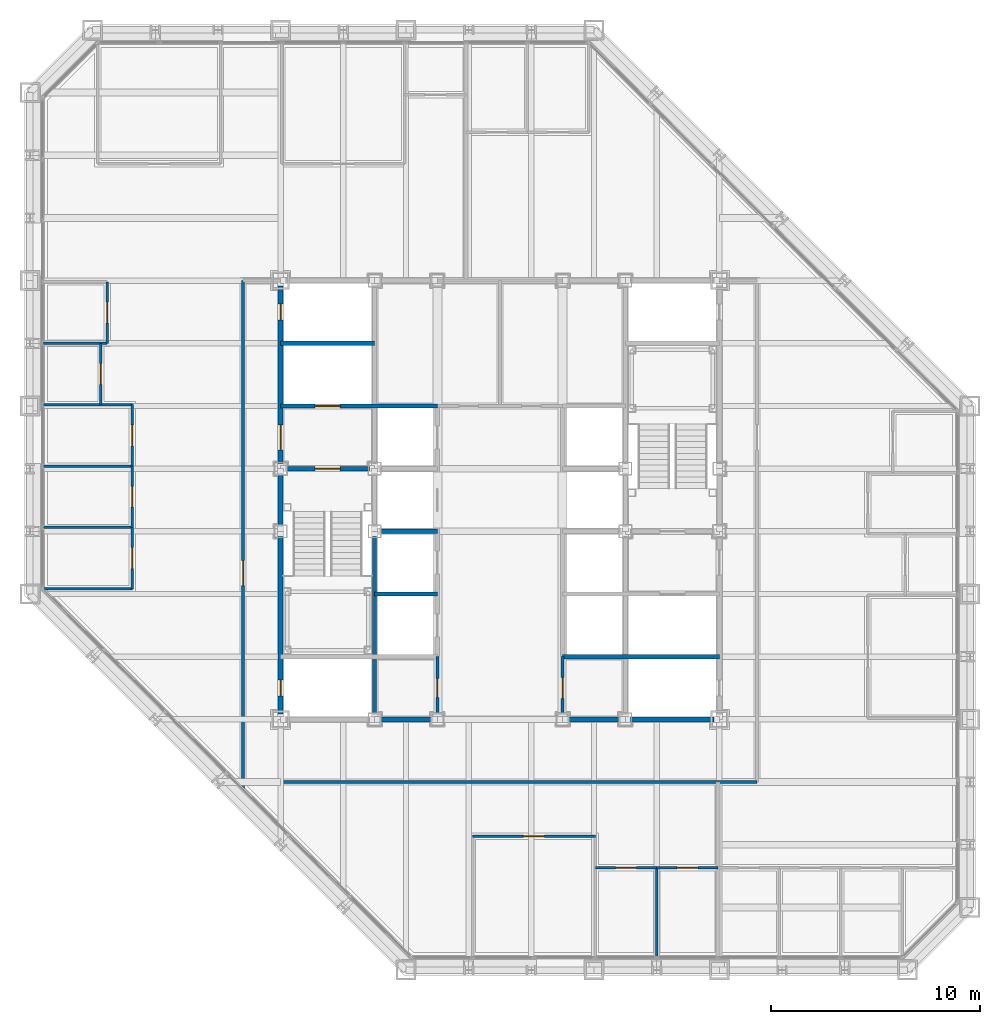
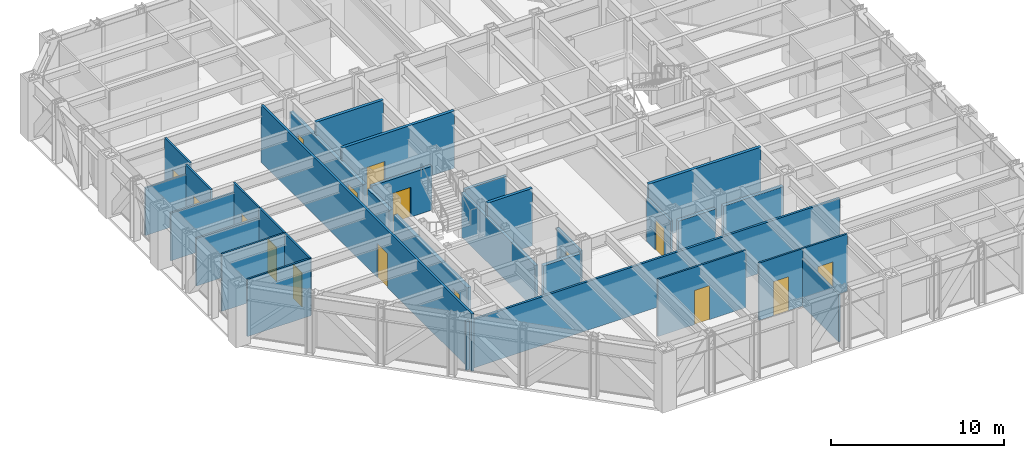
# One storey, part 10 of 16: 31 walls, 16 doors, 16 openings.
"""IFC4 building model written with IfcOpenShell, lengths in metres."""

from ifc_helpers import new_model, si_unit, direction, frame, frame_2d, origin, place, context, subcontext, project, spatial, rectangle, extrude, material, layer, layer_set, type_object, element, fill, save


model = new_model("IFC4")

# Units and contexts
model_context = context("Model", 3, precision=1e-05, world=origin(), true_north=direction((0.0, 1.0)))
body_context = subcontext(model_context, "Body", "Model", "MODEL_VIEW")
ifc_project = project(units=[si_unit("LENGTHUNIT", "METRE"), si_unit("AREAUNIT", "SQUARE_METRE"), si_unit("VOLUMEUNIT", "CUBIC_METRE"), si_unit("PLANEANGLEUNIT", "RADIAN"), si_unit("MASSUNIT", "GRAM", prefix="KILO")], contexts=[model_context])

# Site, building, storey
site_placement = place(None, origin())
site = spatial("IfcSite", under=ifc_project, at=site_placement, CompositionType="ELEMENT")
building_placement = place(site_placement, origin())
building = spatial("IfcBuilding", under=site, at=building_placement, Name="Chuquiago Exchange Tower", CompositionType="ELEMENT")
storey_placement = place(building_placement, frame((0.0, 0.0, 157.199951171875)))
storey = spatial("IfcBuildingStorey", under=building, at=storey_placement, Name="L34", CompositionType="ELEMENT", Elevation=157.199951171875)

# Wall, opening, door
ifc_material_1 = material(Name="Concrete masonry, fully grouted", Category="masonry")
ifc_layer_1 = layer(ifc_material_1, 0.25)
ifc_layer_set_1 = layer_set([ifc_layer_1], Name="W1 core wall 250")
wall_type_1 = type_object("IfcWallType", Name="W1 core wall 250", PredefinedType="SOLIDWALL", material=ifc_layer_set_1)
wall_1_placement = place(storey_placement, frame((12.0, 12.25, 0.0), z_axis=(0.0, 0.0, 1.0), x_axis=(0.0, 1.0, 0.0)))
wall_1 = element("IfcWall", 1, at=wall_1_placement, inside=storey, type_object=wall_type_1, Name="CW-L34-00-0", PredefinedType="SOLIDWALL", context=body_context, shape_type="SweptSolid", body=[
    extrude(rectangle(XDim=8.5, YDim=0.25, at=frame_2d((4.25, 0.0))), origin(), (0.0, 0.0, 1.0), 3.113037109375),
])
opening_1_placement = place(wall_1_placement, frame((0.875, 0.0, 0.0)))
opening_1 = element("IfcOpeningElement", 2, at=opening_1_placement, cuts=wall_1, Name="Opening L34-007", PredefinedType="OPENING", context=body_context, shape_type="SweptSolid", body=[
    extrude(rectangle(XDim=0.75, YDim=2.10009765625, at=frame_2d((0.375, 1.050048828125))), frame((0.0, 0.135009765625, 0.0), z_axis=(0.0, -1.0, 0.0), x_axis=(1.0, 0.0, 0.0)), (0.0, 0.0, 1.0), 0.27001953125),
])
ifc_material_2 = material(Name="Steel door, painted", Category="steel")
door_type_1 = type_object("IfcDoorType", Name="D6 riser access door 750x2100", OperationType="SINGLE_SWING_LEFT", PredefinedType="DOOR", material=ifc_material_2)
door_1_placement = place(opening_1_placement, frame((0.75, 0.0, 0.0), z_axis=(0.0, 0.0, 1.0), x_axis=(-1.0, 0.0, 0.0)))
door_1 = element("IfcDoor", 3, at=door_1_placement, inside=storey, type_object=door_type_1, Name="Riser RW1 door", OperationType="SINGLE_SWING_RIGHT", OverallHeight=2.10009765625, OverallWidth=0.75, PredefinedType="DOOR", context=body_context, shape_type="SweptSolid", body=[
    extrude(rectangle(XDim=0.75, YDim=2.10009765625, at=frame_2d((0.375, 1.050048828125))), frame((0.0, 0.02490234375, 0.0), z_axis=(0.0, -1.0, 0.0), x_axis=(1.0, 0.0, 0.0)), (0.0, 0.0, 1.0), 0.050048828125),
])
fill(opening_1, door_1)

# Wall
wall_2_placement = place(storey_placement, frame((12.0, 21.25, 0.0), z_axis=(0.0, 0.0, 1.0), x_axis=(0.0, 1.0, 0.0)))
element("IfcWall", 4, at=wall_2_placement, inside=storey, type_object=wall_type_1, Name="CW-L34-00-1", PredefinedType="SOLIDWALL", context=body_context, shape_type="SweptSolid", body=[
    extrude(rectangle(XDim=2.5, YDim=0.25, at=frame_2d((1.25, 0.0))), origin(), (0.0, 0.0, 1.0), 3.113037109375),
])

# Wall, openings, doors
wall_3_placement = place(storey_placement, frame((12.0, 24.25, 0.0), z_axis=(0.0, 0.0, 1.0), x_axis=(0.0, 1.0, 0.0)))
wall_3 = element("IfcWall", 5, at=wall_3_placement, inside=storey, type_object=wall_type_1, Name="CW-L34-00-2", PredefinedType="SOLIDWALL", context=body_context, shape_type="SweptSolid", body=[
    extrude(rectangle(XDim=8.5, YDim=0.25, at=frame_2d((4.25, 0.0))), origin(), (0.0, 0.0, 1.0), 3.113037109375),
])
opening_2_placement = place(wall_3_placement, frame((0.64990234375, 0.0, 0.0)))
opening_2 = element("IfcOpeningElement", 6, at=opening_2_placement, cuts=wall_3, Name="Opening L34-002", PredefinedType="OPENING", context=body_context, shape_type="SweptSolid", body=[
    extrude(rectangle(XDim=1.199951171875, YDim=2.10009765625, at=frame_2d((0.60009765625, 1.050048828125))), frame((0.0, 0.135009765625, 0.0), z_axis=(0.0, -1.0, 0.0), x_axis=(1.0, 0.0, 0.0)), (0.0, 0.0, 1.0), 0.27001953125),
])
opening_3_placement = place(wall_3_placement, frame((6.875, 0.0, 0.0)))
opening_3 = element("IfcOpeningElement", 7, at=opening_3_placement, cuts=wall_3, Name="Opening L34-008", PredefinedType="OPENING", context=body_context, shape_type="SweptSolid", body=[
    extrude(rectangle(XDim=0.75, YDim=2.10009765625, at=frame_2d((0.375, 1.050048828125))), frame((0.0, 0.135009765625, 0.0), z_axis=(0.0, -1.0, 0.0), x_axis=(1.0, 0.0, 0.0)), (0.0, 0.0, 1.0), 0.27001953125),
])
ifc_material_3 = material(Name="Steel door, painted", Category="steel")
door_type_2 = type_object("IfcDoorType", Name="D5 firefighting lobby door 1200x2100", OperationType="SINGLE_SWING_LEFT", PredefinedType="DOOR", material=ifc_material_3)
door_2_placement = place(opening_2_placement, frame((1.199951171875, 0.0, 0.0), z_axis=(0.0, 0.0, 1.0), x_axis=(-1.0, 0.0, 0.0)))
door_2 = element("IfcDoor", 8, at=door_2_placement, inside=storey, type_object=door_type_2, Name="Firefighting lobby 1 door", OperationType="SINGLE_SWING_RIGHT", OverallHeight=2.10009765625, OverallWidth=1.199951171875, PredefinedType="DOOR", context=body_context, shape_type="SweptSolid", body=[
    extrude(rectangle(XDim=1.199951171875, YDim=2.10009765625, at=frame_2d((0.60009765625, 1.050048828125))), frame((0.0, 0.02490234375, 0.0), z_axis=(0.0, -1.0, 0.0), x_axis=(1.0, 0.0, 0.0)), (0.0, 0.0, 1.0), 0.050048828125),
])
fill(opening_2, door_2)
door_3_placement = place(opening_3_placement, frame((0.75, 0.0, 0.0), z_axis=(0.0, 0.0, 1.0), x_axis=(-1.0, 0.0, 0.0)))
door_3 = element("IfcDoor", 9, at=door_3_placement, inside=storey, type_object=door_type_1, Name="Riser RW2 door", OperationType="SINGLE_SWING_LEFT", OverallHeight=2.10009765625, OverallWidth=0.75, PredefinedType="DOOR", context=body_context, shape_type="SweptSolid", body=[
    extrude(rectangle(XDim=0.75, YDim=2.10009765625, at=frame_2d((0.375, 1.050048828125))), frame((0.0, 0.02490234375, 0.0), z_axis=(0.0, -1.0, 0.0), x_axis=(1.0, 0.0, 0.0)), (0.0, 0.0, 1.0), 0.050048828125),
])
fill(opening_3, door_3)

# Walls
for number, where, z_axis, x_axis, name in (
    (10, (16.75, 12.0, 0.0), (0.0, 0.0, 1.0), (1.0, 0.0, 0.0), "CW-L34-01-1"),
    (11, (25.75, 12.0, 0.0), (0.0, 0.0, 1.0), (1.0, 0.0, 0.0), "CW-L34-02-0"),
):
    element("IfcWall", number, at=place(storey_placement, frame(where, z_axis=z_axis, x_axis=x_axis)), inside=storey, type_object=wall_type_1, Name=name, PredefinedType="SOLIDWALL", context=body_context, shape_type="SweptSolid", body=[
        extrude(rectangle(XDim=2.5, YDim=0.25, at=frame_2d((1.25, 0.0))), origin(), (0.0, 0.0, 1.0), 3.181640625),
    ])
wall_4_placement = place(storey_placement, frame((28.75, 12.0, 0.0), z_axis=(0.0, 0.0, 1.0), x_axis=(1.0, 0.0, 0.0)))
element("IfcWall", 12, at=wall_4_placement, inside=storey, type_object=wall_type_1, Name="CW-L34-02-1", PredefinedType="SOLIDWALL", context=body_context, shape_type="SweptSolid", body=[
    extrude(rectangle(XDim=4.0, YDim=0.25, at=frame_2d((2.0, 0.0))), origin(), (0.0, 0.0, 1.0), 3.181640625),
])
ifc_material_4 = material(Name="Gypsum board on steel studs, acoustic insulation", Category="steel")
ifc_layer_2 = layer(ifc_material_4, 0.14990234375)
ifc_layer_set_2 = layer_set([ifc_layer_2], Name="W11 corridor wall 150")
wall_type_2 = type_object("IfcWallType", Name="W11 corridor wall 150", PredefinedType="PARTITIONING", material=ifc_layer_set_2)
wall_5_placement = place(storey_placement, frame((9.885498046875, 9.0, 0.0), z_axis=(0.0, 0.0, 1.0), x_axis=(1.0, 0.0, 0.0)))
element("IfcWall", 13, at=wall_5_placement, inside=storey, type_object=wall_type_2, Name="PW-L34-CS", PredefinedType="PARTITIONING", context=body_context, shape_type="SweptSolid", body=[
    extrude(rectangle(XDim=24.91455078125, YDim=0.14990234375, at=frame_2d((12.457275390625, 0.0))), origin(), (0.0, 0.0, 1.0), 3.427734375),
])

# Wall, opening, door
wall_6_placement = place(storey_placement, frame((10.199951171875, 8.685546875, 0.0), z_axis=(0.0, 0.0, 1.0), x_axis=(0.0, 1.0, 0.0)))
wall_6 = element("IfcWall", 14, at=wall_6_placement, inside=storey, type_object=wall_type_2, Name="PW-L34-CW", PredefinedType="PARTITIONING", context=body_context, shape_type="SweptSolid", body=[
    extrude(rectangle(XDim=24.314453125, YDim=0.14990234375, at=frame_2d((12.1572265625, 0.0))), origin(), (0.0, 0.0, 1.0), 4.0400390625),
])
opening_4_placement = place(wall_6_placement, frame((9.714599609375, 0.0, 0.0)))
opening_4 = element("IfcOpeningElement", 15, at=opening_4_placement, cuts=wall_6, Name="Opening L34-040", PredefinedType="OPENING", context=body_context, shape_type="SweptSolid", body=[
    extrude(rectangle(XDim=1.199951171875, YDim=2.39990234375, at=frame_2d((0.60009765625, 1.199951171875))), frame((0.0, 0.0849609375, 0.0), z_axis=(0.0, -1.0, 0.0), x_axis=(1.0, 0.0, 0.0)), (0.0, 0.0, 1.0), 0.169921875),
])
ifc_material_5 = material(Name="Timber door, laminate faced", Category="wood")
door_type_3 = type_object("IfcDoorType", Name="D13 suite entrance door 1200x2400", OperationType="SINGLE_SWING_LEFT", PredefinedType="DOOR", material=ifc_material_5)
door_4_placement = place(opening_4_placement, origin())
door_4 = element("IfcDoor", 16, at=door_4_placement, inside=storey, type_object=door_type_3, Name="West suite entrance door", OperationType="SINGLE_SWING_LEFT", OverallHeight=2.39990234375, OverallWidth=1.199951171875, PredefinedType="DOOR", context=body_context, shape_type="SweptSolid", body=[
    extrude(rectangle(XDim=1.199951171875, YDim=2.39990234375, at=frame_2d((0.60009765625, 1.199951171875))), frame((0.0, 0.02490234375, 0.0), z_axis=(0.0, -1.0, 0.0), x_axis=(1.0, 0.0, 0.0)), (0.0, 0.0, 1.0), 0.050048828125),
])
fill(opening_4, door_4)

# Wall
ifc_material_6 = material(Name="Concrete masonry, fully grouted", Category="masonry")
ifc_layer_3 = layer(ifc_material_6, 0.199951171875)
ifc_layer_set_3 = layer_set([ifc_layer_3], Name="W2 shaft wall 200")
wall_type_3 = type_object("IfcWallType", Name="W2 shaft wall 200", PredefinedType="SOLIDWALL", material=ifc_layer_set_3)
wall_7_placement = place(storey_placement, frame((25.5, 15.0, 0.0), z_axis=(0.0, 0.0, 1.0), x_axis=(1.0, 0.0, 0.0)))
element("IfcWall", 17, at=wall_7_placement, inside=storey, type_object=wall_type_3, Name="CW-L34-04-0", PredefinedType="SOLIDWALL", context=body_context, shape_type="SweptSolid", body=[
    extrude(rectangle(XDim=7.5, YDim=0.199951171875, at=frame_2d((3.75, 0.0))), origin(), (0.0, 0.0, 1.0), 4.0400390625),
])

# Wall, opening, door
wall_8_placement = place(storey_placement, frame((12.25, 24.0, 0.0), z_axis=(0.0, 0.0, 1.0), x_axis=(1.0, 0.0, 0.0)))
wall_8 = element("IfcWall", 18, at=wall_8_placement, inside=storey, type_object=wall_type_3, Name="CW-L34-05-0", PredefinedType="SOLIDWALL", context=body_context, shape_type="SweptSolid", body=[
    extrude(rectangle(XDim=4.0, YDim=0.199951171875, at=frame_2d((2.0, 0.0))), origin(), (0.0, 0.0, 1.0), 3.090087890625),
])
opening_5_placement = place(wall_8_placement, frame((1.39990234375, 0.0, 0.0)))
opening_5 = element("IfcOpeningElement", 19, at=opening_5_placement, cuts=wall_8, Name="Opening L34-001", PredefinedType="OPENING", context=body_context, shape_type="SweptSolid", body=[
    extrude(rectangle(XDim=1.199951171875, YDim=2.10009765625, at=frame_2d((0.60009765625, 1.050048828125))), frame((0.0, 0.10986328125, 0.0), z_axis=(0.0, -1.0, 0.0), x_axis=(1.0, 0.0, 0.0)), (0.0, 0.0, 1.0), 0.219970703125),
])
ifc_material_7 = material(Name="Steel door, painted", Category="steel")
door_type_4 = type_object("IfcDoorType", Name="D4 stair door 1200x2100", OperationType="SINGLE_SWING_LEFT", PredefinedType="DOOR", material=ifc_material_7)
door_5_placement = place(opening_5_placement, frame((1.199951171875, 0.0, 0.0), z_axis=(0.0, 0.0, 1.0), x_axis=(-1.0, 0.0, 0.0)))
door_5 = element("IfcDoor", 20, at=door_5_placement, inside=storey, type_object=door_type_4, Name="Stair ST1 door", OperationType="SINGLE_SWING_RIGHT", OverallHeight=2.10009765625, OverallWidth=1.199951171875, PredefinedType="DOOR", context=body_context, shape_type="SweptSolid", body=[
    extrude(rectangle(XDim=1.199951171875, YDim=2.10009765625, at=frame_2d((0.60009765625, 1.050048828125))), frame((0.0, 0.02490234375, 0.0), z_axis=(0.0, -1.0, 0.0), x_axis=(1.0, 0.0, 0.0)), (0.0, 0.0, 1.0), 0.050048828125),
])
fill(opening_5, door_5)

wall_9_placement = place(storey_placement, frame((12.0, 27.0, 0.0), z_axis=(0.0, 0.0, 1.0), x_axis=(1.0, 0.0, 0.0)))
wall_9 = element("IfcWall", 21, at=wall_9_placement, inside=storey, type_object=wall_type_3, Name="CW-L34-07-0", PredefinedType="SOLIDWALL", context=body_context, shape_type="SweptSolid", body=[
    extrude(rectangle(XDim=7.5, YDim=0.199951171875, at=frame_2d((3.75, 0.0))), origin(), (0.0, 0.0, 1.0), 4.0400390625),
])
opening_6_placement = place(wall_9_placement, frame((1.64990234375, 0.0, 0.0)))
opening_6 = element("IfcOpeningElement", 22, at=opening_6_placement, cuts=wall_9, Name="Opening L34-005", PredefinedType="OPENING", context=body_context, shape_type="SweptSolid", body=[
    extrude(rectangle(XDim=1.199951171875, YDim=2.10009765625, at=frame_2d((0.60009765625, 1.050048828125))), frame((0.0, 0.10986328125, 0.0), z_axis=(0.0, -1.0, 0.0), x_axis=(1.0, 0.0, 0.0)), (0.0, 0.0, 1.0), 0.219970703125),
])
ifc_material_8 = material(Name="Stainless steel lift landing door", Category="steel")
door_type_5 = type_object("IfcDoorType", Name="LD2 firefighting lift landing door 1200x2100", OperationType="DOUBLE_DOOR_SLIDING", PredefinedType="DOOR", material=ifc_material_8)
door_6_placement = place(opening_6_placement, origin())
door_6 = element("IfcDoor", 23, at=door_6_placement, inside=storey, type_object=door_type_5, Name="Firefighting lift FL1 landing door", OperationType="DOUBLE_DOOR_SLIDING", OverallHeight=2.10009765625, OverallWidth=1.199951171875, PredefinedType="DOOR", context=body_context, shape_type="SweptSolid", body=[
    extrude(rectangle(XDim=1.199951171875, YDim=2.10009765625, at=frame_2d((0.60009765625, 1.050048828125))), frame((0.0, 0.02490234375, 0.0), z_axis=(0.0, -1.0, 0.0), x_axis=(1.0, 0.0, 0.0)), (0.0, 0.0, 1.0), 0.050048828125),
])
fill(opening_6, door_6)

# Walls
wall_10_placement = place(storey_placement, frame((12.0, 30.0, 0.0), z_axis=(0.0, 0.0, 1.0), x_axis=(1.0, 0.0, 0.0)))
element("IfcWall", 24, at=wall_10_placement, inside=storey, type_object=wall_type_3, Name="CW-L34-09-0", PredefinedType="SOLIDWALL", context=body_context, shape_type="SweptSolid", body=[
    extrude(rectangle(XDim=4.5, YDim=0.199951171875, at=frame_2d((2.25, 0.0))), origin(), (0.0, 0.0, 1.0), 4.0400390625),
])
wall_11_placement = place(storey_placement, frame((16.5, 12.25, 0.0), z_axis=(0.0, 0.0, 1.0), x_axis=(0.0, 1.0, 0.0)))
element("IfcWall", 25, at=wall_11_placement, inside=storey, type_object=wall_type_3, Name="CW-L34-13-0", PredefinedType="SOLIDWALL", context=body_context, shape_type="SweptSolid", body=[
    extrude(rectangle(XDim=8.5, YDim=0.199951171875, at=frame_2d((4.25, 0.0))), origin(), (0.0, 0.0, 1.0), 3.113037109375),
])
wall_12_placement = place(storey_placement, frame((16.5, 18.0, 0.0), z_axis=(0.0, 0.0, 1.0), x_axis=(1.0, 0.0, 0.0)))
element("IfcWall", 26, at=wall_12_placement, inside=storey, type_object=wall_type_3, Name="CW-L34-14-0", PredefinedType="SOLIDWALL", context=body_context, shape_type="SweptSolid", body=[
    extrude(rectangle(XDim=3.0, YDim=0.199951171875, at=frame_2d((1.5, 0.0))), origin(), (0.0, 0.0, 1.0), 4.0400390625),
])
wall_13_placement = place(storey_placement, frame((16.75, 21.0, 0.0), z_axis=(0.0, 0.0, 1.0), x_axis=(1.0, 0.0, 0.0)))
element("IfcWall", 27, at=wall_13_placement, inside=storey, type_object=wall_type_3, Name="CW-L34-16-0", PredefinedType="SOLIDWALL", context=body_context, shape_type="SweptSolid", body=[
    extrude(rectangle(XDim=2.75, YDim=0.199951171875, at=frame_2d((1.375, 0.0))), origin(), (0.0, 0.0, 1.0), 3.090087890625),
])

# Wall, opening, door
ifc_material_9 = material(Name="Gypsum board on steel studs", Category="steel")
ifc_layer_4 = layer(ifc_material_9, 0.14990234375)
ifc_layer_set_4 = layer_set([ifc_layer_4], Name="W3 core partition 150")
wall_type_4 = type_object("IfcWallType", Name="W3 core partition 150", PredefinedType="PARTITIONING", material=ifc_layer_set_4)
wall_14_placement = place(storey_placement, frame((19.5, 12.25, 0.0), z_axis=(0.0, 0.0, 1.0), x_axis=(0.0, 1.0, 0.0)))
wall_14 = element("IfcWall", 28, at=wall_14_placement, inside=storey, type_object=wall_type_4, Name="CW-L34-18-0", PredefinedType="PARTITIONING", context=body_context, shape_type="SweptSolid", body=[
    extrude(rectangle(XDim=2.75, YDim=0.14990234375, at=frame_2d((1.375, 0.0))), origin(), (0.0, 0.0, 1.0), 3.064697265625),
])
opening_7_placement = place(wall_14_placement, frame((0.800048828125, 0.0, 0.0)))
opening_7 = element("IfcOpeningElement", 29, at=opening_7_placement, cuts=wall_14, Name="Opening L34-014", PredefinedType="OPENING", context=body_context, shape_type="SweptSolid", body=[
    extrude(rectangle(XDim=0.89990234375, YDim=2.10009765625, at=frame_2d((0.449951171875, 1.050048828125))), frame((0.0, 0.0849609375, 0.0), z_axis=(0.0, -1.0, 0.0), x_axis=(1.0, 0.0, 0.0)), (0.0, 0.0, 1.0), 0.169921875),
])
ifc_material_10 = material(Name="Timber door, laminate faced", Category="wood")
door_type_6 = type_object("IfcDoorType", Name="D7 toilet door 900x2100", OperationType="SINGLE_SWING_LEFT", PredefinedType="DOOR", material=ifc_material_10)
door_7_placement = place(opening_7_placement, frame((0.89990234375, 0.0, 0.0), z_axis=(0.0, 0.0, 1.0), x_axis=(-1.0, 0.0, 0.0)))
door_7 = element("IfcDoor", 30, at=door_7_placement, inside=storey, type_object=door_type_6, Name="Cleaner door", OperationType="SINGLE_SWING_RIGHT", OverallHeight=2.10009765625, OverallWidth=0.89990234375, PredefinedType="DOOR", context=body_context, shape_type="SweptSolid", body=[
    extrude(rectangle(XDim=0.89990234375, YDim=2.10009765625, at=frame_2d((0.449951171875, 1.050048828125))), frame((0.0, 0.02490234375, 0.0), z_axis=(0.0, -1.0, 0.0), x_axis=(1.0, 0.0, 0.0)), (0.0, 0.0, 1.0), 0.050048828125),
])
fill(opening_7, door_7)

wall_15_placement = place(storey_placement, frame((25.5, 12.25, 0.0), z_axis=(0.0, 0.0, 1.0), x_axis=(0.0, 1.0, 0.0)))
wall_15 = element("IfcWall", 31, at=wall_15_placement, inside=storey, type_object=wall_type_4, Name="CW-L34-21-0", PredefinedType="PARTITIONING", context=body_context, shape_type="SweptSolid", body=[
    extrude(rectangle(XDim=2.75, YDim=0.14990234375, at=frame_2d((1.375, 0.0))), origin(), (0.0, 0.0, 1.0), 3.064697265625),
])
opening_8_placement = place(wall_15_placement, frame((0.75, 0.0, 0.0)))
opening_8 = element("IfcOpeningElement", 32, at=opening_8_placement, cuts=wall_15, Name="Opening L34-013", PredefinedType="OPENING", context=body_context, shape_type="SweptSolid", body=[
    extrude(rectangle(XDim=1.0, YDim=2.10009765625, at=frame_2d((0.5, 1.050048828125))), frame((0.0, 0.0849609375, 0.0), z_axis=(0.0, -1.0, 0.0), x_axis=(1.0, 0.0, 0.0)), (0.0, 0.0, 1.0), 0.169921875),
])
ifc_material_11 = material(Name="Timber door, laminate faced", Category="wood")
door_type_7 = type_object("IfcDoorType", Name="D8 accessible toilet door 1000x2100", OperationType="SLIDING_TO_LEFT", PredefinedType="DOOR", material=ifc_material_11)
door_8_placement = place(opening_8_placement, origin())
door_8 = element("IfcDoor", 33, at=door_8_placement, inside=storey, type_object=door_type_7, Name="Accessible WC door", OperationType="SLIDING_TO_LEFT", OverallHeight=2.10009765625, OverallWidth=1.0, PredefinedType="DOOR", context=body_context, shape_type="SweptSolid", body=[
    extrude(rectangle(XDim=1.0, YDim=2.10009765625, at=frame_2d((0.5, 1.050048828125))), frame((0.0, 0.02490234375, 0.0), z_axis=(0.0, -1.0, 0.0), x_axis=(1.0, 0.0, 0.0)), (0.0, 0.0, 1.0), 0.050048828125),
])
fill(opening_8, door_8)

# Wall
ifc_material_12 = material(Name="Gypsum board on steel studs", Category="steel")
ifc_layer_5 = layer(ifc_material_12, 0.1201171875)
ifc_layer_set_5 = layer_set([ifc_layer_5], Name="W4 partition 120")
wall_type_5 = type_object("IfcWallType", Name="W4 partition 120", PredefinedType="PARTITIONING", material=ifc_layer_set_5)
wall_16_placement = place(storey_placement, frame((30.0, 0.652587890625, 0.0), z_axis=(0.0, 0.0, 1.0), x_axis=(0.0, 1.0, 0.0)))
element("IfcWall", 34, at=wall_16_placement, inside=storey, type_object=wall_type_5, Name="PW-L34-S03000", PredefinedType="PARTITIONING", context=body_context, shape_type="SweptSolid", body=[
    extrude(rectangle(XDim=4.247314453125, YDim=0.1201171875, at=frame_2d((2.12353515625, 0.0))), origin(), (0.0, 0.0, 1.0), 3.35693359375),
])

# Wall, opening, door
wall_17_placement = place(storey_placement, frame((21.186279296875, 6.39990234375, 0.0), z_axis=(0.0, 0.0, 1.0), x_axis=(1.0, 0.0, 0.0)))
wall_17 = element("IfcWall", 35, at=wall_17_placement, inside=storey, type_object=wall_type_5, Name="PW-L34-SF02119", PredefinedType="PARTITIONING", context=body_context, shape_type="SweptSolid", body=[
    extrude(rectangle(XDim=5.875732421875, YDim=0.1201171875, at=frame_2d((2.93798828125, 0.0))), origin(), (0.0, 0.0, 1.0), 4.0400390625),
])
opening_9_placement = place(wall_17_placement, frame((2.43798828125, 0.0, 0.0)))
opening_9 = element("IfcOpeningElement", 36, at=opening_9_placement, cuts=wall_17, Name="Opening L34-019", PredefinedType="OPENING", context=body_context, shape_type="SweptSolid", body=[
    extrude(rectangle(XDim=1.0, YDim=2.39990234375, at=frame_2d((0.5, 1.199951171875))), frame((0.0, 0.070068359375, 0.0), z_axis=(0.0, -1.0, 0.0), x_axis=(1.0, 0.0, 0.0)), (0.0, 0.0, 1.0), 0.14013671875),
])
ifc_material_13 = material(Name="Timber door, laminate faced", Category="wood")
door_type_8 = type_object("IfcDoorType", Name="D9 room door 1000x2400", OperationType="SINGLE_SWING_LEFT", PredefinedType="DOOR", material=ifc_material_13)
door_9_placement = place(opening_9_placement, frame((1.0, 0.0, 0.0), z_axis=(0.0, 0.0, 1.0), x_axis=(-1.0, 0.0, 0.0)))
door_9 = element("IfcDoor", 37, at=door_9_placement, inside=storey, type_object=door_type_8, Name="Investor relations office door", OperationType="SINGLE_SWING_LEFT", OverallHeight=2.39990234375, OverallWidth=1.0, PredefinedType="DOOR", context=body_context, shape_type="SweptSolid", body=[
    extrude(rectangle(XDim=1.0, YDim=2.39990234375, at=frame_2d((0.5, 1.199951171875))), frame((0.0, 0.02490234375, 0.0), z_axis=(0.0, -1.0, 0.0), x_axis=(1.0, 0.0, 0.0)), (0.0, 0.0, 1.0), 0.050048828125),
])
fill(opening_9, door_9)

wall_18_placement = place(storey_placement, frame((27.06201171875, 4.89990234375, 0.0), z_axis=(0.0, 0.0, 1.0), x_axis=(1.0, 0.0, 0.0)))
wall_18 = element("IfcWall", 38, at=wall_18_placement, inside=storey, type_object=wall_type_5, Name="PW-L34-SF02706", PredefinedType="PARTITIONING", context=body_context, shape_type="SweptSolid", body=[
    extrude(rectangle(XDim=2.93798828125, YDim=0.1201171875, at=frame_2d((1.468994140625, 0.0))), origin(), (0.0, 0.0, 1.0), 4.0400390625),
])
opening_10_placement = place(wall_18_placement, frame((0.968994140625, 0.0, 0.0)))
opening_10 = element("IfcOpeningElement", 39, at=opening_10_placement, cuts=wall_18, Name="Opening L34-020", PredefinedType="OPENING", context=body_context, shape_type="SweptSolid", body=[
    extrude(rectangle(XDim=1.0, YDim=2.39990234375, at=frame_2d((0.5, 1.199951171875))), frame((0.0, 0.070068359375, 0.0), z_axis=(0.0, -1.0, 0.0), x_axis=(1.0, 0.0, 0.0)), (0.0, 0.0, 1.0), 0.14013671875),
])
door_10_placement = place(opening_10_placement, frame((1.0, 0.0, 0.0), z_axis=(0.0, 0.0, 1.0), x_axis=(-1.0, 0.0, 0.0)))
door_10 = element("IfcDoor", 40, at=door_10_placement, inside=storey, type_object=door_type_8, Name="Office door", OperationType="SINGLE_SWING_RIGHT", OverallHeight=2.39990234375, OverallWidth=1.0, PredefinedType="DOOR", context=body_context, shape_type="SweptSolid", body=[
    extrude(rectangle(XDim=1.0, YDim=2.39990234375, at=frame_2d((0.5, 1.199951171875))), frame((0.0, 0.02490234375, 0.0), z_axis=(0.0, -1.0, 0.0), x_axis=(1.0, 0.0, 0.0)), (0.0, 0.0, 1.0), 0.050048828125),
])
fill(opening_10, door_10)

wall_19_placement = place(storey_placement, frame((30.0, 4.89990234375, 0.0), z_axis=(0.0, 0.0, 1.0), x_axis=(1.0, 0.0, 0.0)))
wall_19 = element("IfcWall", 41, at=wall_19_placement, inside=storey, type_object=wall_type_5, Name="PW-L34-SF03000", PredefinedType="PARTITIONING", context=body_context, shape_type="SweptSolid", body=[
    extrude(rectangle(XDim=2.93798828125, YDim=0.1201171875, at=frame_2d((1.468994140625, 0.0))), origin(), (0.0, 0.0, 1.0), 4.0400390625),
])
opening_11_placement = place(wall_19_placement, frame((0.968994140625, 0.0, 0.0)))
opening_11 = element("IfcOpeningElement", 42, at=opening_11_placement, cuts=wall_19, Name="Opening L34-021", PredefinedType="OPENING", context=body_context, shape_type="SweptSolid", body=[
    extrude(rectangle(XDim=1.0, YDim=2.39990234375, at=frame_2d((0.5, 1.199951171875))), frame((0.0, 0.070068359375, 0.0), z_axis=(0.0, -1.0, 0.0), x_axis=(1.0, 0.0, 0.0)), (0.0, 0.0, 1.0), 0.14013671875),
])
door_11_placement = place(opening_11_placement, frame((1.0, 0.0, 0.0), z_axis=(0.0, 0.0, 1.0), x_axis=(-1.0, 0.0, 0.0)))
door_11 = element("IfcDoor", 43, at=door_11_placement, inside=storey, type_object=door_type_8, Name="Office door", OperationType="SINGLE_SWING_LEFT", OverallHeight=2.39990234375, OverallWidth=1.0, PredefinedType="DOOR", context=body_context, shape_type="SweptSolid", body=[
    extrude(rectangle(XDim=1.0, YDim=2.39990234375, at=frame_2d((0.5, 1.199951171875))), frame((0.0, 0.02490234375, 0.0), z_axis=(0.0, -1.0, 0.0), x_axis=(1.0, 0.0, 0.0)), (0.0, 0.0, 1.0), 0.050048828125),
])
fill(opening_11, door_11)

# Walls
wall_20_placement = place(storey_placement, frame((0.666015625, 18.24853515625, 0.0), z_axis=(0.0, 0.0, 1.0), x_axis=(1.0, 0.0, 0.0)))
element("IfcWall", 44, at=wall_20_placement, inside=storey, type_object=wall_type_5, Name="PW-L34-W01825", PredefinedType="PARTITIONING", context=body_context, shape_type="SweptSolid", body=[
    extrude(rectangle(XDim=4.23388671875, YDim=0.1201171875, at=frame_2d((2.116943359375, 0.0))), origin(), (0.0, 0.0, 1.0), 4.0400390625),
])
wall_21_placement = place(storey_placement, frame((0.652587890625, 21.186279296875, 0.0), z_axis=(0.0, 0.0, 1.0), x_axis=(1.0, 0.0, 0.0)))
element("IfcWall", 45, at=wall_21_placement, inside=storey, type_object=wall_type_5, Name="PW-L34-W02119", PredefinedType="PARTITIONING", context=body_context, shape_type="SweptSolid", body=[
    extrude(rectangle(XDim=4.247314453125, YDim=0.1201171875, at=frame_2d((2.12353515625, 0.0))), origin(), (0.0, 0.0, 1.0), 4.0400390625),
])
for number, where, z_axis, x_axis, name in (
    (46, (0.652587890625, 24.124267578125, 0.0), (0.0, 0.0, 1.0), (1.0, 0.0, 0.0), "PW-L34-W02412"),
    (47, (0.652587890625, 27.06201171875, 0.0), (0.0, 0.0, 1.0), (1.0, 0.0, 0.0), "PW-L34-W02706"),
):
    element("IfcWall", number, at=place(storey_placement, frame(where, z_axis=z_axis, x_axis=x_axis)), inside=storey, type_object=wall_type_5, Name=name, PredefinedType="PARTITIONING", context=body_context, shape_type="SweptSolid", body=[
        extrude(rectangle(XDim=4.247314453125, YDim=0.1201171875, at=frame_2d((2.12353515625, 0.0))), origin(), (0.0, 0.0, 1.0), 3.35693359375),
    ])
wall_22_placement = place(storey_placement, frame((0.652587890625, 30.0, 0.0), z_axis=(0.0, 0.0, 1.0), x_axis=(1.0, 0.0, 0.0)))
element("IfcWall", 48, at=wall_22_placement, inside=storey, type_object=wall_type_5, Name="PW-L34-W03000", PredefinedType="PARTITIONING", context=body_context, shape_type="SweptSolid", body=[
    extrude(rectangle(XDim=3.04736328125, YDim=0.1201171875, at=frame_2d((1.523681640625, 0.0))), origin(), (0.0, 0.0, 1.0), 3.35693359375),
])

# Wall, opening, door
wall_23_placement = place(storey_placement, frame((4.89990234375, 18.24853515625, 0.0), z_axis=(0.0, 0.0, 1.0), x_axis=(0.0, 1.0, 0.0)))
wall_23 = element("IfcWall", 49, at=wall_23_placement, inside=storey, type_object=wall_type_5, Name="PW-L34-WF01825", PredefinedType="PARTITIONING", context=body_context, shape_type="SweptSolid", body=[
    extrude(rectangle(XDim=2.937744140625, YDim=0.1201171875, at=frame_2d((1.46875, 0.0))), origin(), (0.0, 0.0, 1.0), 4.0400390625),
])
opening_12_placement = place(wall_23_placement, frame((0.968994140625, 0.0, 0.0)))
opening_12 = element("IfcOpeningElement", 50, at=opening_12_placement, cuts=wall_23, Name="Opening L34-035", PredefinedType="OPENING", context=body_context, shape_type="SweptSolid", body=[
    extrude(rectangle(XDim=1.0, YDim=2.39990234375, at=frame_2d((0.5, 1.199951171875))), frame((0.0, 0.070068359375, 0.0), z_axis=(0.0, -1.0, 0.0), x_axis=(1.0, 0.0, 0.0)), (0.0, 0.0, 1.0), 0.14013671875),
])
door_12_placement = place(opening_12_placement, origin())
door_12 = element("IfcDoor", 51, at=door_12_placement, inside=storey, type_object=door_type_8, Name="Office door", OperationType="SINGLE_SWING_LEFT", OverallHeight=2.39990234375, OverallWidth=1.0, PredefinedType="DOOR", context=body_context, shape_type="SweptSolid", body=[
    extrude(rectangle(XDim=1.0, YDim=2.39990234375, at=frame_2d((0.5, 1.199951171875))), frame((0.0, 0.02490234375, 0.0), z_axis=(0.0, -1.0, 0.0), x_axis=(1.0, 0.0, 0.0)), (0.0, 0.0, 1.0), 0.050048828125),
])
fill(opening_12, door_12)

wall_24_placement = place(storey_placement, frame((4.89990234375, 21.186279296875, 0.0), z_axis=(0.0, 0.0, 1.0), x_axis=(0.0, 1.0, 0.0)))
wall_24 = element("IfcWall", 52, at=wall_24_placement, inside=storey, type_object=wall_type_5, Name="PW-L34-WF02119", PredefinedType="PARTITIONING", context=body_context, shape_type="SweptSolid", body=[
    extrude(rectangle(XDim=2.93798828125, YDim=0.1201171875, at=frame_2d((1.468994140625, 0.0))), origin(), (0.0, 0.0, 1.0), 4.0400390625),
])
opening_13_placement = place(wall_24_placement, frame((0.968994140625, 0.0, 0.0)))
opening_13 = element("IfcOpeningElement", 53, at=opening_13_placement, cuts=wall_24, Name="Opening L34-036", PredefinedType="OPENING", context=body_context, shape_type="SweptSolid", body=[
    extrude(rectangle(XDim=1.0, YDim=2.39990234375, at=frame_2d((0.5, 1.199951171875))), frame((0.0, 0.070068359375, 0.0), z_axis=(0.0, -1.0, 0.0), x_axis=(1.0, 0.0, 0.0)), (0.0, 0.0, 1.0), 0.14013671875),
])
door_13_placement = place(opening_13_placement, origin())
door_13 = element("IfcDoor", 54, at=door_13_placement, inside=storey, type_object=door_type_8, Name="Office door", OperationType="SINGLE_SWING_RIGHT", OverallHeight=2.39990234375, OverallWidth=1.0, PredefinedType="DOOR", context=body_context, shape_type="SweptSolid", body=[
    extrude(rectangle(XDim=1.0, YDim=2.39990234375, at=frame_2d((0.5, 1.199951171875))), frame((0.0, 0.02490234375, 0.0), z_axis=(0.0, -1.0, 0.0), x_axis=(1.0, 0.0, 0.0)), (0.0, 0.0, 1.0), 0.050048828125),
])
fill(opening_13, door_13)

wall_25_placement = place(storey_placement, frame((4.89990234375, 24.124267578125, 0.0), z_axis=(0.0, 0.0, 1.0), x_axis=(0.0, 1.0, 0.0)))
wall_25 = element("IfcWall", 55, at=wall_25_placement, inside=storey, type_object=wall_type_5, Name="PW-L34-WF02412", PredefinedType="PARTITIONING", context=body_context, shape_type="SweptSolid", body=[
    extrude(rectangle(XDim=2.937744140625, YDim=0.1201171875, at=frame_2d((1.46875, 0.0))), origin(), (0.0, 0.0, 1.0), 4.0400390625),
])
opening_14_placement = place(wall_25_placement, frame((0.968994140625, 0.0, 0.0)))
opening_14 = element("IfcOpeningElement", 56, at=opening_14_placement, cuts=wall_25, Name="Opening L34-037", PredefinedType="OPENING", context=body_context, shape_type="SweptSolid", body=[
    extrude(rectangle(XDim=1.0, YDim=2.39990234375, at=frame_2d((0.5, 1.199951171875))), frame((0.0, 0.070068359375, 0.0), z_axis=(0.0, -1.0, 0.0), x_axis=(1.0, 0.0, 0.0)), (0.0, 0.0, 1.0), 0.14013671875),
])
door_14_placement = place(opening_14_placement, origin())
door_14 = element("IfcDoor", 57, at=door_14_placement, inside=storey, type_object=door_type_8, Name="Office door", OperationType="SINGLE_SWING_RIGHT", OverallHeight=2.39990234375, OverallWidth=1.0, PredefinedType="DOOR", context=body_context, shape_type="SweptSolid", body=[
    extrude(rectangle(XDim=1.0, YDim=2.39990234375, at=frame_2d((0.5, 1.199951171875))), frame((0.0, 0.02490234375, 0.0), z_axis=(0.0, -1.0, 0.0), x_axis=(1.0, 0.0, 0.0)), (0.0, 0.0, 1.0), 0.050048828125),
])
fill(opening_14, door_14)

wall_26_placement = place(storey_placement, frame((3.39990234375, 27.06201171875, 0.0), z_axis=(0.0, 0.0, 1.0), x_axis=(0.0, 1.0, 0.0)))
wall_26 = element("IfcWall", 58, at=wall_26_placement, inside=storey, type_object=wall_type_5, Name="PW-L34-WF02706", PredefinedType="PARTITIONING", context=body_context, shape_type="SweptSolid", body=[
    extrude(rectangle(XDim=2.93798828125, YDim=0.1201171875, at=frame_2d((1.468994140625, 0.0))), origin(), (0.0, 0.0, 1.0), 4.0400390625),
])
opening_15_placement = place(wall_26_placement, frame((0.968994140625, 0.0, 0.0)))
opening_15 = element("IfcOpeningElement", 59, at=opening_15_placement, cuts=wall_26, Name="Opening L34-038", PredefinedType="OPENING", context=body_context, shape_type="SweptSolid", body=[
    extrude(rectangle(XDim=1.0, YDim=2.39990234375, at=frame_2d((0.5, 1.199951171875))), frame((0.0, 0.070068359375, 0.0), z_axis=(0.0, -1.0, 0.0), x_axis=(1.0, 0.0, 0.0)), (0.0, 0.0, 1.0), 0.14013671875),
])
door_15_placement = place(opening_15_placement, origin())
door_15 = element("IfcDoor", 60, at=door_15_placement, inside=storey, type_object=door_type_8, Name="Store door", OperationType="SINGLE_SWING_LEFT", OverallHeight=2.39990234375, OverallWidth=1.0, PredefinedType="DOOR", context=body_context, shape_type="SweptSolid", body=[
    extrude(rectangle(XDim=1.0, YDim=2.39990234375, at=frame_2d((0.5, 1.199951171875))), frame((0.0, 0.02490234375, 0.0), z_axis=(0.0, -1.0, 0.0), x_axis=(1.0, 0.0, 0.0)), (0.0, 0.0, 1.0), 0.050048828125),
])
fill(opening_15, door_15)

wall_27_placement = place(storey_placement, frame((3.699951171875, 30.0, 0.0), z_axis=(0.0, 0.0, 1.0), x_axis=(0.0, 1.0, 0.0)))
wall_27 = element("IfcWall", 61, at=wall_27_placement, inside=storey, type_object=wall_type_5, Name="PW-L34-WF03000", PredefinedType="PARTITIONING", context=body_context, shape_type="SweptSolid", body=[
    extrude(rectangle(XDim=2.93798828125, YDim=0.1201171875, at=frame_2d((1.468994140625, 0.0))), origin(), (0.0, 0.0, 1.0), 4.0400390625),
])
opening_16_placement = place(wall_27_placement, frame((0.968994140625, 0.0, 0.0)))
opening_16 = element("IfcOpeningElement", 62, at=opening_16_placement, cuts=wall_27, Name="Opening L34-039", PredefinedType="OPENING", context=body_context, shape_type="SweptSolid", body=[
    extrude(rectangle(XDim=1.0, YDim=2.39990234375, at=frame_2d((0.5, 1.199951171875))), frame((0.0, 0.070068359375, 0.0), z_axis=(0.0, -1.0, 0.0), x_axis=(1.0, 0.0, 0.0)), (0.0, 0.0, 1.0), 0.14013671875),
])
door_16_placement = place(opening_16_placement, origin())
door_16 = element("IfcDoor", 63, at=door_16_placement, inside=storey, type_object=door_type_8, Name="Pantry door", OperationType="SINGLE_SWING_LEFT", OverallHeight=2.39990234375, OverallWidth=1.0, PredefinedType="DOOR", context=body_context, shape_type="SweptSolid", body=[
    extrude(rectangle(XDim=1.0, YDim=2.39990234375, at=frame_2d((0.5, 1.199951171875))), frame((0.0, 0.02490234375, 0.0), z_axis=(0.0, -1.0, 0.0), x_axis=(1.0, 0.0, 0.0)), (0.0, 0.0, 1.0), 0.050048828125),
])
fill(opening_16, door_16)

save(model, "model.ifc")
